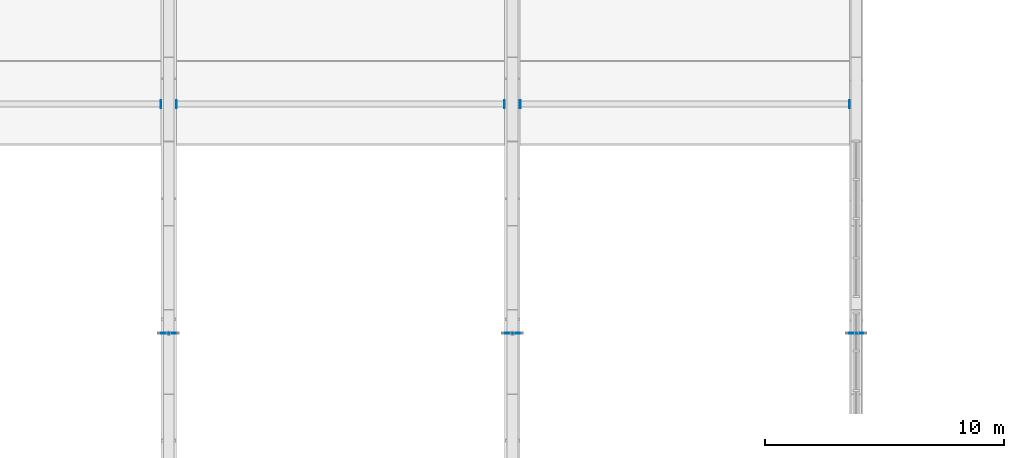
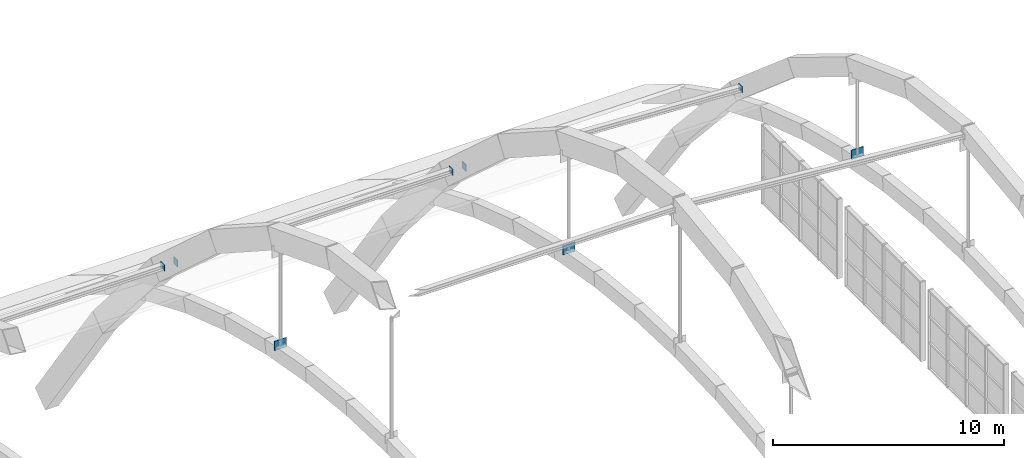
# One storey, part 53 of 64: 8 plates.
"""IFC4 building model written with IfcOpenShell, lengths in metres."""

from ifc_helpers import new_model, si_unit, direction, frame, origin, origin_2d, place, context, subcontext, project, spatial, rectangle, extrude, material, layer, layer_set, type_object, element, save


model = new_model("IFC4")

# Units and contexts
model_context = context("Model", 3, precision=1e-05, world=origin(), true_north=direction((0.0, 1.0)))
body_context = subcontext(model_context, "Body", "Model", "MODEL_VIEW")
ifc_project = project(units=[si_unit("LENGTHUNIT", "METRE"), si_unit("AREAUNIT", "SQUARE_METRE"), si_unit("VOLUMEUNIT", "CUBIC_METRE"), si_unit("PLANEANGLEUNIT", "RADIAN"), si_unit("MASSUNIT", "GRAM", prefix="KILO")], contexts=[model_context])

# Site, building, storey
site_placement = place(None, origin())
site = spatial("IfcSite", under=ifc_project, at=site_placement, CompositionType="ELEMENT")
building_placement = place(site_placement, origin())
building = spatial("IfcBuilding", under=site, at=building_placement, Name="Leyfeld Transit Interchange", CompositionType="ELEMENT")
storey_placement = place(building_placement, frame((0.0, 0.0, 9.60009765625)))
storey = spatial("IfcBuildingStorey", under=building, at=storey_placement, Name="L02", CompositionType="ELEMENT", Elevation=9.60009765625)

# Plates
ifc_material = material(Name="Steel S355J2", Category="steel")
ifc_layer_1 = layer(ifc_material, 0.02490234375, Name="Steel S355J2")
ifc_layer_set_1 = layer_set([ifc_layer_1], Name="Steel S355J2")
plate_type_1 = type_object("IfcPlateType", Name="PLT-CAP-25", PredefinedType="USERDEFINED", material=ifc_layer_set_1)
for number, where, z_axis, x_axis, name in (
    (1, (71.675048828125, 51.60009765625, 5.166015625), (0.0, 0.0, 1.0), (0.0, 1.0, 0.0), "Arch Tie Chord East End Plate B5 T3"),
    (2, (72.324951171875, 51.60009765625, 5.166015625), (0.0, 0.0, 1.0), (0.0, 1.0, 0.0), "Arch Tie Chord West End Plate B6 T3"),
    (3, (86.074951171875, 51.60009765625, 5.166015625), (0.0, 0.0, 1.0), (0.0, 1.0, 0.0), "Arch Tie Chord East End Plate B6 T3"),
    (4, (86.72509765625, 51.60009765625, 5.166015625), (0.0, 0.0, 1.0), (0.0, 1.0, 0.0), "Arch Tie Chord West End Plate B7 T3"),
    (5, (100.52490234375, 51.60009765625, 4.46826171875), (0.0, 0.0, 1.0), (0.0, 1.0, 0.0), "Arch Tie Chord East End Plate B7 T3"),
):
    element("IfcPlate", number, at=place(storey_placement, frame(where, z_axis=z_axis, x_axis=x_axis)), inside=storey, type_object=plate_type_1, Name=name, ObjectType="FLANGE_PLATE", PredefinedType="USERDEFINED", context=body_context, shape_type="SweptSolid", body=[
        extrude(rectangle(XDim=0.340087890625, YDim=0.02490234375, at=origin_2d()), origin(), (0.0, 0.0, 1.0), 0.340087890625),
    ])
ifc_layer_2 = layer(ifc_material, 0.02490234375, Name="Steel S355J2")
ifc_layer_set_2 = layer_set([ifc_layer_2], Name="Steel S355J2")
plate_type_2 = type_object("IfcPlateType", Name="PLT-GUS-25", PredefinedType="SHEET", material=ifc_layer_set_2)
for number, where, z_axis, x_axis, name in (
    (6, (72.0, 42.0, 6.68505859375), (0.0, 0.0, 1.0), (1.0, 0.0, 0.0), "Hanger Lower Clevis Plate AR-05 H5"),
    (7, (86.39990234375, 42.0, 6.68505859375), (0.0, 0.0, 1.0), (1.0, 0.0, 0.0), "Hanger Lower Clevis Plate AR-06 H5"),
    (8, (100.800048828125, 42.0, 6.68505859375), (0.0, 0.0, 1.0), (1.0, 0.0, 0.0), "Hanger Lower Clevis Plate GP-E H5"),
):
    element("IfcPlate", number, at=place(storey_placement, frame(where, z_axis=z_axis, x_axis=x_axis)), inside=storey, type_object=plate_type_2, Name=name, PredefinedType="SHEET", context=body_context, shape_type="SweptSolid", body=[
        extrude(rectangle(XDim=0.60009765625, YDim=0.02490234375, at=origin_2d()), origin(), (0.0, 0.0, 1.0), 0.5),
    ])

save(model, "model.ifc")
